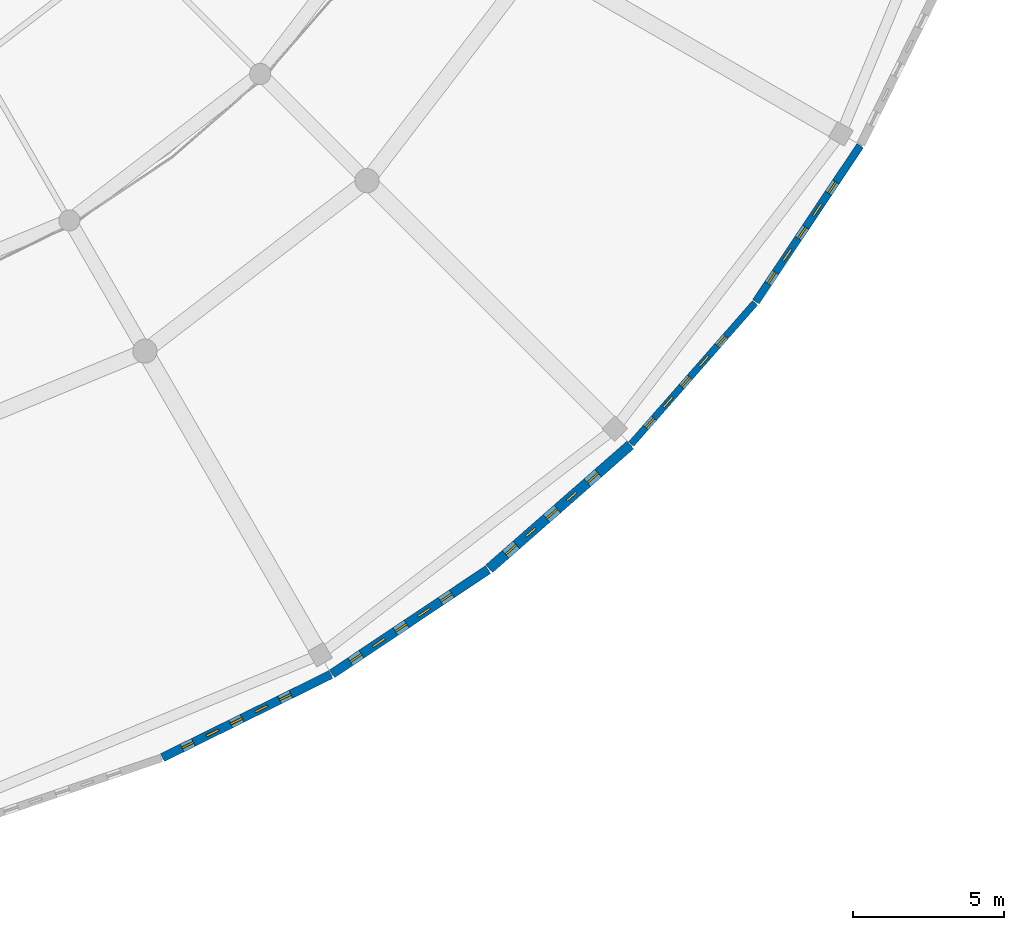
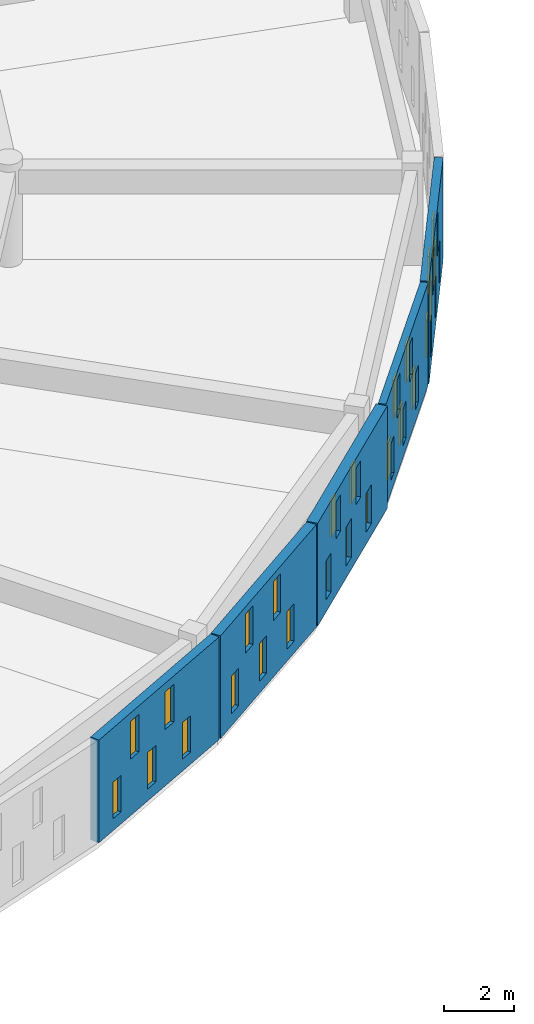
# One storey, part 109 of 155: 25 windows, 5 walls, 25 openings.
"""IFC4 building model written with IfcOpenShell, lengths in metres."""

from ifc_helpers import new_model, si_unit, direction, frame, frame_2d, origin, place, context, subcontext, project, spatial, rectangle, extrude, material, layer, layer_set, type_object, element, fill, save


model = new_model("IFC4")

# Units and contexts
model_context = context("Model", 3, precision=1e-05, world=origin(), true_north=direction((0.0, 1.0)))
body_context = subcontext(model_context, "Body", "Model", "MODEL_VIEW")
ifc_project = project(units=[si_unit("LENGTHUNIT", "METRE"), si_unit("AREAUNIT", "SQUARE_METRE"), si_unit("VOLUMEUNIT", "CUBIC_METRE"), si_unit("PLANEANGLEUNIT", "RADIAN"), si_unit("MASSUNIT", "GRAM", prefix="KILO")], contexts=[model_context])

# Site, building, storey
site_placement = place(None, origin())
site = spatial("IfcSite", under=ifc_project, at=site_placement, CompositionType="ELEMENT")
building_placement = place(site_placement, origin())
building = spatial("IfcBuilding", under=site, at=building_placement, Name="Larkveld Mobility Hub", CompositionType="ELEMENT")
storey_placement = place(building_placement, frame((0.0, 0.0, 8.39990234375)))
storey = spatial("IfcBuildingStorey", under=building, at=storey_placement, Name="L02", CompositionType="ELEMENT", Elevation=8.39990234375)

# Wall, openings, windows
ifc_material_1 = material(Name="Fired clay brick 25 MPa", Category="masonry")
ifc_layer_1 = layer(ifc_material_1, 0.22998046875, Name="Fired clay brick 25 MPa", Category="masonry")
ifc_layer_set_1 = layer_set([ifc_layer_1], Name="Fired clay brick 25 MPa")
wall_type_1 = type_object("IfcWallType", Name="WL-BRK-230", PredefinedType="USERDEFINED", material=ifc_layer_set_1)
wall_1_placement = place(storey_placement, frame((81.85107421875, 14.18310546875, 0.0), z_axis=(0.0, 0.0, 1.0), x_axis=(0.65930569124, 0.751874993266, 0.0)))
wall_1 = element("IfcWall", 1, at=wall_1_placement, inside=storey, type_object=wall_type_1, Name="Drum Woven Open-Bond Brick Chord L02-0133", ObjectType="PERFORATED BRICK SCREEN", PredefinedType="USERDEFINED", context=body_context, shape_type="SweptSolid", body=[
    extrude(rectangle(XDim=6.2109375, YDim=0.22998046875, at=frame_2d((3.10546875, 0.0))), origin(), (0.0, 0.0, 1.0), 3.60009765625),
])
opening_1_placement = place(wall_1_placement, frame((0.719970703125, 0.0, 0.419921875)))
opening_1 = element("IfcOpeningElement", 2, at=opening_1_placement, cuts=wall_1, Name="Opening W01", PredefinedType="OPENING", context=body_context, shape_type="SweptSolid", body=[
    extrude(rectangle(XDim=0.419921875, YDim=1.280029296875, at=frame_2d((0.2099609375, 0.64013671875))), frame((0.0, 0.125, 0.0), z_axis=(0.0, -1.0, 0.0), x_axis=(1.0, 0.0, 0.0)), (0.0, 0.0, 1.0), 0.25),
])
opening_2_placement = place(wall_1_placement, frame((2.52001953125, 0.0, 0.419921875)))
opening_2 = element("IfcOpeningElement", 3, at=opening_2_placement, cuts=wall_1, Name="Opening W01", PredefinedType="OPENING", context=body_context, shape_type="SweptSolid", body=[
    extrude(rectangle(XDim=0.419921875, YDim=1.280029296875, at=frame_2d((0.2099609375, 0.64013671875))), frame((0.0, 0.125, 0.0), z_axis=(0.0, -1.0, 0.0), x_axis=(1.0, 0.0, 0.0)), (0.0, 0.0, 1.0), 0.25),
])
opening_3_placement = place(wall_1_placement, frame((4.320068359375, 0.0, 0.419921875)))
opening_3 = element("IfcOpeningElement", 4, at=opening_3_placement, cuts=wall_1, Name="Opening W01", PredefinedType="OPENING", context=body_context, shape_type="SweptSolid", body=[
    extrude(rectangle(XDim=0.419921875, YDim=1.280029296875, at=frame_2d((0.2099609375, 0.64013671875))), frame((0.0, 0.125, 0.0), z_axis=(0.0, -1.0, 0.0), x_axis=(1.0, 0.0, 0.0)), (0.0, 0.0, 1.0), 0.25),
])
opening_4_placement = place(wall_1_placement, frame((1.6201171875, 0.0, 1.97998046875)))
opening_4 = element("IfcOpeningElement", 5, at=opening_4_placement, cuts=wall_1, Name="Opening W02", PredefinedType="OPENING", context=body_context, shape_type="SweptSolid", body=[
    extrude(rectangle(XDim=0.449951171875, YDim=1.320068359375, at=frame_2d((0.22509765625, 0.66015625))), frame((0.0, 0.125, 0.0), z_axis=(0.0, -1.0, 0.0), x_axis=(1.0, 0.0, 0.0)), (0.0, 0.0, 1.0), 0.25),
])
opening_5_placement = place(wall_1_placement, frame((3.419921875, 0.0, 1.97998046875)))
opening_5 = element("IfcOpeningElement", 6, at=opening_5_placement, cuts=wall_1, Name="Opening W02", PredefinedType="OPENING", context=body_context, shape_type="SweptSolid", body=[
    extrude(rectangle(XDim=0.449951171875, YDim=1.320068359375, at=frame_2d((0.22509765625, 0.66015625))), frame((0.0, 0.125, 0.0), z_axis=(0.0, -1.0, 0.0), x_axis=(1.0, 0.0, 0.0)), (0.0, 0.0, 1.0), 0.25),
])
ifc_material_2 = material(Name="Extruded aluminium ventilation grille", Category="aluminium")
window_type_1 = type_object("IfcWindowType", Name="WN-VENT-01", PartitioningType="SINGLE_PANEL", PredefinedType="WINDOW", material=ifc_material_2)
window_1_placement = place(opening_1_placement, origin())
window_1 = element("IfcWindow", 7, at=window_1_placement, inside=storey, type_object=window_type_1, Name="Window W01 (0651)", OverallHeight=1.280029296875, OverallWidth=0.419921875, PartitioningType="SINGLE_PANEL", PredefinedType="WINDOW", context=body_context, shape_type="SweptSolid", body=[
    extrude(rectangle(XDim=0.419921875, YDim=1.280029296875, at=frame_2d((0.2099609375, 0.64013671875))), frame((0.0, 0.030029296875, 0.0), z_axis=(0.0, -1.0, 0.0), x_axis=(1.0, 0.0, 0.0)), (0.0, 0.0, 1.0), 0.06005859375),
])
fill(opening_1, window_1)
window_2_placement = place(opening_2_placement, origin())
window_2 = element("IfcWindow", 8, at=window_2_placement, inside=storey, type_object=window_type_1, Name="Window W01 (0652)", OverallHeight=1.280029296875, OverallWidth=0.419921875, PartitioningType="SINGLE_PANEL", PredefinedType="WINDOW", context=body_context, shape_type="SweptSolid", body=[
    extrude(rectangle(XDim=0.419921875, YDim=1.280029296875, at=frame_2d((0.2099609375, 0.64013671875))), frame((0.0, 0.030029296875, 0.0), z_axis=(0.0, -1.0, 0.0), x_axis=(1.0, 0.0, 0.0)), (0.0, 0.0, 1.0), 0.06005859375),
])
fill(opening_2, window_2)
window_3_placement = place(opening_3_placement, origin())
window_3 = element("IfcWindow", 9, at=window_3_placement, inside=storey, type_object=window_type_1, Name="Window W01 (0653)", OverallHeight=1.280029296875, OverallWidth=0.419921875, PartitioningType="SINGLE_PANEL", PredefinedType="WINDOW", context=body_context, shape_type="SweptSolid", body=[
    extrude(rectangle(XDim=0.419921875, YDim=1.280029296875, at=frame_2d((0.2099609375, 0.64013671875))), frame((0.0, 0.030029296875, 0.0), z_axis=(0.0, -1.0, 0.0), x_axis=(1.0, 0.0, 0.0)), (0.0, 0.0, 1.0), 0.06005859375),
])
fill(opening_3, window_3)
window_type_2 = type_object("IfcWindowType", Name="WN-VENT-02", PartitioningType="SINGLE_PANEL", PredefinedType="WINDOW", material=ifc_material_2)
window_4_placement = place(opening_4_placement, origin())
window_4 = element("IfcWindow", 10, at=window_4_placement, inside=storey, type_object=window_type_2, Name="Window W02 (0654)", OverallHeight=1.320068359375, OverallWidth=0.449951171875, PartitioningType="SINGLE_PANEL", PredefinedType="WINDOW", context=body_context, shape_type="SweptSolid", body=[
    extrude(rectangle(XDim=0.449951171875, YDim=1.320068359375, at=frame_2d((0.22509765625, 0.66015625))), frame((0.0, 0.030029296875, 0.0), z_axis=(0.0, -1.0, 0.0), x_axis=(1.0, 0.0, 0.0)), (0.0, 0.0, 1.0), 0.06005859375),
])
fill(opening_4, window_4)
window_5_placement = place(opening_5_placement, origin())
window_5 = element("IfcWindow", 11, at=window_5_placement, inside=storey, type_object=window_type_2, Name="Window W02 (0655)", OverallHeight=1.320068359375, OverallWidth=0.449951171875, PartitioningType="SINGLE_PANEL", PredefinedType="WINDOW", context=body_context, shape_type="SweptSolid", body=[
    extrude(rectangle(XDim=0.449951171875, YDim=1.320068359375, at=frame_2d((0.22509765625, 0.66015625))), frame((0.0, 0.030029296875, 0.0), z_axis=(0.0, -1.0, 0.0), x_axis=(1.0, 0.0, 0.0)), (0.0, 0.0, 1.0), 0.06005859375),
])
fill(opening_5, window_5)

ifc_layer_2 = layer(ifc_material_1, 0.260009765625, Name="Fired clay brick 25 MPa", Category="masonry")
ifc_layer_set_2 = layer_set([ifc_layer_2], Name="Fired clay brick 25 MPa")
wall_type_2 = type_object("IfcWallType", Name="WL-BRK-260", PredefinedType="USERDEFINED", material=ifc_layer_set_2)
wall_2_placement = place(storey_placement, frame((85.97509765625, 18.89111328125, 0.0), z_axis=(0.0, 0.0, 1.0), x_axis=(0.555634193664, 0.831426871608, 0.0)))
wall_2 = element("IfcWall", 12, at=wall_2_placement, inside=storey, type_object=wall_type_2, Name="Drum Woven Open-Bond Brick Chord L02-0134", ObjectType="PERFORATED BRICK SCREEN", PredefinedType="USERDEFINED", context=body_context, shape_type="SweptSolid", body=[
    extrude(rectangle(XDim=6.210693359375, YDim=0.260009765625, at=frame_2d((3.10546875, 0.0))), origin(), (0.0, 0.0, 1.0), 3.60009765625),
])
opening_6_placement = place(wall_2_placement, frame((0.719970703125, 0.0, 0.419921875)))
opening_6 = element("IfcOpeningElement", 13, at=opening_6_placement, cuts=wall_2, Name="Opening W02", PredefinedType="OPENING", context=body_context, shape_type="SweptSolid", body=[
    extrude(rectangle(XDim=0.449951171875, YDim=1.320068359375, at=frame_2d((0.22509765625, 0.66015625))), frame((0.0, 0.14013671875, 0.0), z_axis=(0.0, -1.0, 0.0), x_axis=(1.0, 0.0, 0.0)), (0.0, 0.0, 1.0), 0.280029296875),
])
opening_7_placement = place(wall_2_placement, frame((2.52001953125, 0.0, 0.419921875)))
opening_7 = element("IfcOpeningElement", 14, at=opening_7_placement, cuts=wall_2, Name="Opening W02", PredefinedType="OPENING", context=body_context, shape_type="SweptSolid", body=[
    extrude(rectangle(XDim=0.449951171875, YDim=1.320068359375, at=frame_2d((0.22509765625, 0.66015625))), frame((0.0, 0.14013671875, 0.0), z_axis=(0.0, -1.0, 0.0), x_axis=(1.0, 0.0, 0.0)), (0.0, 0.0, 1.0), 0.280029296875),
])
opening_8_placement = place(wall_2_placement, frame((4.320068359375, 0.0, 0.419921875)))
opening_8 = element("IfcOpeningElement", 15, at=opening_8_placement, cuts=wall_2, Name="Opening W02", PredefinedType="OPENING", context=body_context, shape_type="SweptSolid", body=[
    extrude(rectangle(XDim=0.449951171875, YDim=1.320068359375, at=frame_2d((0.22509765625, 0.66015625))), frame((0.0, 0.14013671875, 0.0), z_axis=(0.0, -1.0, 0.0), x_axis=(1.0, 0.0, 0.0)), (0.0, 0.0, 1.0), 0.280029296875),
])
opening_9_placement = place(wall_2_placement, frame((1.6201171875, 0.0, 1.97998046875)))
opening_9 = element("IfcOpeningElement", 16, at=opening_9_placement, cuts=wall_2, Name="Opening W03", PredefinedType="OPENING", context=body_context, shape_type="SweptSolid", body=[
    extrude(rectangle(XDim=0.47998046875, YDim=1.360107421875, at=frame_2d((0.239990234375, 0.68017578125))), frame((0.0, 0.14013671875, 0.0), z_axis=(0.0, -1.0, 0.0), x_axis=(1.0, 0.0, 0.0)), (0.0, 0.0, 1.0), 0.280029296875),
])
opening_10_placement = place(wall_2_placement, frame((3.419921875, 0.0, 1.97998046875)))
opening_10 = element("IfcOpeningElement", 17, at=opening_10_placement, cuts=wall_2, Name="Opening W03", PredefinedType="OPENING", context=body_context, shape_type="SweptSolid", body=[
    extrude(rectangle(XDim=0.47998046875, YDim=1.360107421875, at=frame_2d((0.239990234375, 0.68017578125))), frame((0.0, 0.14013671875, 0.0), z_axis=(0.0, -1.0, 0.0), x_axis=(1.0, 0.0, 0.0)), (0.0, 0.0, 1.0), 0.280029296875),
])
window_6_placement = place(opening_6_placement, origin())
window_6 = element("IfcWindow", 18, at=window_6_placement, inside=storey, type_object=window_type_2, Name="Window W02 (0656)", OverallHeight=1.320068359375, OverallWidth=0.449951171875, PartitioningType="SINGLE_PANEL", PredefinedType="WINDOW", context=body_context, shape_type="SweptSolid", body=[
    extrude(rectangle(XDim=0.449951171875, YDim=1.320068359375, at=frame_2d((0.22509765625, 0.66015625))), frame((0.0, 0.030029296875, 0.0), z_axis=(0.0, -1.0, 0.0), x_axis=(1.0, 0.0, 0.0)), (0.0, 0.0, 1.0), 0.06005859375),
])
fill(opening_6, window_6)
window_7_placement = place(opening_7_placement, origin())
window_7 = element("IfcWindow", 19, at=window_7_placement, inside=storey, type_object=window_type_2, Name="Window W02 (0657)", OverallHeight=1.320068359375, OverallWidth=0.449951171875, PartitioningType="SINGLE_PANEL", PredefinedType="WINDOW", context=body_context, shape_type="SweptSolid", body=[
    extrude(rectangle(XDim=0.449951171875, YDim=1.320068359375, at=frame_2d((0.22509765625, 0.66015625))), frame((0.0, 0.030029296875, 0.0), z_axis=(0.0, -1.0, 0.0), x_axis=(1.0, 0.0, 0.0)), (0.0, 0.0, 1.0), 0.06005859375),
])
fill(opening_7, window_7)
window_8_placement = place(opening_8_placement, origin())
window_8 = element("IfcWindow", 20, at=window_8_placement, inside=storey, type_object=window_type_2, Name="Window W02 (0658)", OverallHeight=1.320068359375, OverallWidth=0.449951171875, PartitioningType="SINGLE_PANEL", PredefinedType="WINDOW", context=body_context, shape_type="SweptSolid", body=[
    extrude(rectangle(XDim=0.449951171875, YDim=1.320068359375, at=frame_2d((0.22509765625, 0.66015625))), frame((0.0, 0.030029296875, 0.0), z_axis=(0.0, -1.0, 0.0), x_axis=(1.0, 0.0, 0.0)), (0.0, 0.0, 1.0), 0.06005859375),
])
fill(opening_8, window_8)
window_type_3 = type_object("IfcWindowType", Name="WN-VENT-03", PartitioningType="SINGLE_PANEL", PredefinedType="WINDOW", material=ifc_material_2)
window_9_placement = place(opening_9_placement, origin())
window_9 = element("IfcWindow", 21, at=window_9_placement, inside=storey, type_object=window_type_3, Name="Window W03 (0659)", OverallHeight=1.360107421875, OverallWidth=0.47998046875, PartitioningType="SINGLE_PANEL", PredefinedType="WINDOW", context=body_context, shape_type="SweptSolid", body=[
    extrude(rectangle(XDim=0.47998046875, YDim=1.360107421875, at=frame_2d((0.239990234375, 0.68017578125))), frame((0.0, 0.030029296875, 0.0), z_axis=(0.0, -1.0, 0.0), x_axis=(1.0, 0.0, 0.0)), (0.0, 0.0, 1.0), 0.06005859375),
])
fill(opening_9, window_9)
window_10_placement = place(opening_10_placement, origin())
window_10 = element("IfcWindow", 22, at=window_10_placement, inside=storey, type_object=window_type_3, Name="Window W03 (0660)", OverallHeight=1.360107421875, OverallWidth=0.47998046875, PartitioningType="SINGLE_PANEL", PredefinedType="WINDOW", context=body_context, shape_type="SweptSolid", body=[
    extrude(rectangle(XDim=0.47998046875, YDim=1.360107421875, at=frame_2d((0.239990234375, 0.68017578125))), frame((0.0, 0.030029296875, 0.0), z_axis=(0.0, -1.0, 0.0), x_axis=(1.0, 0.0, 0.0)), (0.0, 0.0, 1.0), 0.06005859375),
])
fill(opening_10, window_10)

ifc_layer_3 = layer(ifc_material_1, 0.2900390625, Name="Fired clay brick 25 MPa", Category="masonry")
ifc_layer_set_3 = layer_set([ifc_layer_3], Name="Fired clay brick 25 MPa")
wall_type_3 = type_object("IfcWallType", Name="WL-BRK-290", PredefinedType="USERDEFINED", material=ifc_layer_set_3)
wall_3_placement = place(storey_placement, frame((66.3330078125, 3.802978515625, 0.0), z_axis=(0.0, 0.0, 1.0), x_axis=(0.896858908126, 0.442316740488, 0.0)))
wall_3 = element("IfcWall", 23, at=wall_3_placement, inside=storey, type_object=wall_type_3, Name="Drum Woven Open-Bond Brick Chord L02-0130", ObjectType="PERFORATED BRICK SCREEN", PredefinedType="USERDEFINED", context=body_context, shape_type="SweptSolid", body=[
    extrude(rectangle(XDim=6.210693359375, YDim=0.2900390625, at=frame_2d((3.10546875, 0.0))), origin(), (0.0, 0.0, 1.0), 3.60009765625),
])
opening_11_placement = place(wall_3_placement, frame((0.719970703125, 0.0, 0.419921875)))
opening_11 = element("IfcOpeningElement", 24, at=opening_11_placement, cuts=wall_3, Name="Opening W01", PredefinedType="OPENING", context=body_context, shape_type="SweptSolid", body=[
    extrude(rectangle(XDim=0.419921875, YDim=1.280029296875, at=frame_2d((0.2099609375, 0.64013671875))), frame((0.0, 0.155029296875, 0.0), z_axis=(0.0, -1.0, 0.0), x_axis=(1.0, 0.0, 0.0)), (0.0, 0.0, 1.0), 0.31005859375),
])
opening_12_placement = place(wall_3_placement, frame((2.52001953125, 0.0, 0.419921875)))
opening_12 = element("IfcOpeningElement", 25, at=opening_12_placement, cuts=wall_3, Name="Opening W01", PredefinedType="OPENING", context=body_context, shape_type="SweptSolid", body=[
    extrude(rectangle(XDim=0.419921875, YDim=1.280029296875, at=frame_2d((0.2099609375, 0.64013671875))), frame((0.0, 0.155029296875, 0.0), z_axis=(0.0, -1.0, 0.0), x_axis=(1.0, 0.0, 0.0)), (0.0, 0.0, 1.0), 0.31005859375),
])
opening_13_placement = place(wall_3_placement, frame((4.320068359375, 0.0, 0.419921875)))
opening_13 = element("IfcOpeningElement", 26, at=opening_13_placement, cuts=wall_3, Name="Opening W01", PredefinedType="OPENING", context=body_context, shape_type="SweptSolid", body=[
    extrude(rectangle(XDim=0.419921875, YDim=1.280029296875, at=frame_2d((0.2099609375, 0.64013671875))), frame((0.0, 0.155029296875, 0.0), z_axis=(0.0, -1.0, 0.0), x_axis=(1.0, 0.0, 0.0)), (0.0, 0.0, 1.0), 0.31005859375),
])
opening_14_placement = place(wall_3_placement, frame((1.6201171875, 0.0, 1.97998046875)))
opening_14 = element("IfcOpeningElement", 27, at=opening_14_placement, cuts=wall_3, Name="Opening W02", PredefinedType="OPENING", context=body_context, shape_type="SweptSolid", body=[
    extrude(rectangle(XDim=0.449951171875, YDim=1.320068359375, at=frame_2d((0.22509765625, 0.66015625))), frame((0.0, 0.155029296875, 0.0), z_axis=(0.0, -1.0, 0.0), x_axis=(1.0, 0.0, 0.0)), (0.0, 0.0, 1.0), 0.31005859375),
])
opening_15_placement = place(wall_3_placement, frame((3.419921875, 0.0, 1.97998046875)))
opening_15 = element("IfcOpeningElement", 28, at=opening_15_placement, cuts=wall_3, Name="Opening W02", PredefinedType="OPENING", context=body_context, shape_type="SweptSolid", body=[
    extrude(rectangle(XDim=0.449951171875, YDim=1.320068359375, at=frame_2d((0.22509765625, 0.66015625))), frame((0.0, 0.155029296875, 0.0), z_axis=(0.0, -1.0, 0.0), x_axis=(1.0, 0.0, 0.0)), (0.0, 0.0, 1.0), 0.31005859375),
])
window_11_placement = place(opening_11_placement, origin())
window_11 = element("IfcWindow", 29, at=window_11_placement, inside=storey, type_object=window_type_1, Name="Window W01 (0636)", OverallHeight=1.280029296875, OverallWidth=0.419921875, PartitioningType="SINGLE_PANEL", PredefinedType="WINDOW", context=body_context, shape_type="SweptSolid", body=[
    extrude(rectangle(XDim=0.419921875, YDim=1.280029296875, at=frame_2d((0.2099609375, 0.64013671875))), frame((0.0, 0.030029296875, 0.0), z_axis=(0.0, -1.0, 0.0), x_axis=(1.0, 0.0, 0.0)), (0.0, 0.0, 1.0), 0.06005859375),
])
fill(opening_11, window_11)
window_12_placement = place(opening_12_placement, origin())
window_12 = element("IfcWindow", 30, at=window_12_placement, inside=storey, type_object=window_type_1, Name="Window W01 (0637)", OverallHeight=1.280029296875, OverallWidth=0.419921875, PartitioningType="SINGLE_PANEL", PredefinedType="WINDOW", context=body_context, shape_type="SweptSolid", body=[
    extrude(rectangle(XDim=0.419921875, YDim=1.280029296875, at=frame_2d((0.2099609375, 0.64013671875))), frame((0.0, 0.030029296875, 0.0), z_axis=(0.0, -1.0, 0.0), x_axis=(1.0, 0.0, 0.0)), (0.0, 0.0, 1.0), 0.06005859375),
])
fill(opening_12, window_12)
window_13_placement = place(opening_13_placement, origin())
window_13 = element("IfcWindow", 31, at=window_13_placement, inside=storey, type_object=window_type_1, Name="Window W01 (0638)", OverallHeight=1.280029296875, OverallWidth=0.419921875, PartitioningType="SINGLE_PANEL", PredefinedType="WINDOW", context=body_context, shape_type="SweptSolid", body=[
    extrude(rectangle(XDim=0.419921875, YDim=1.280029296875, at=frame_2d((0.2099609375, 0.64013671875))), frame((0.0, 0.030029296875, 0.0), z_axis=(0.0, -1.0, 0.0), x_axis=(1.0, 0.0, 0.0)), (0.0, 0.0, 1.0), 0.06005859375),
])
fill(opening_13, window_13)
window_14_placement = place(opening_14_placement, origin())
window_14 = element("IfcWindow", 32, at=window_14_placement, inside=storey, type_object=window_type_2, Name="Window W02 (0639)", OverallHeight=1.320068359375, OverallWidth=0.449951171875, PartitioningType="SINGLE_PANEL", PredefinedType="WINDOW", context=body_context, shape_type="SweptSolid", body=[
    extrude(rectangle(XDim=0.449951171875, YDim=1.320068359375, at=frame_2d((0.22509765625, 0.66015625))), frame((0.0, 0.030029296875, 0.0), z_axis=(0.0, -1.0, 0.0), x_axis=(1.0, 0.0, 0.0)), (0.0, 0.0, 1.0), 0.06005859375),
])
fill(opening_14, window_14)
window_15_placement = place(opening_15_placement, origin())
window_15 = element("IfcWindow", 33, at=window_15_placement, inside=storey, type_object=window_type_2, Name="Window W02 (0640)", OverallHeight=1.320068359375, OverallWidth=0.449951171875, PartitioningType="SINGLE_PANEL", PredefinedType="WINDOW", context=body_context, shape_type="SweptSolid", body=[
    extrude(rectangle(XDim=0.449951171875, YDim=1.320068359375, at=frame_2d((0.22509765625, 0.66015625))), frame((0.0, 0.030029296875, 0.0), z_axis=(0.0, -1.0, 0.0), x_axis=(1.0, 0.0, 0.0)), (0.0, 0.0, 1.0), 0.06005859375),
])
fill(opening_15, window_15)

ifc_layer_4 = layer(ifc_material_1, 0.31005859375, Name="Fired clay brick 25 MPa", Category="masonry")
ifc_layer_set_4 = layer_set([ifc_layer_4], Name="Fired clay brick 25 MPa")
wall_type_4 = type_object("IfcWallType", Name="WL-BRK-310", PredefinedType="USERDEFINED", material=ifc_layer_set_4)
wall_4_placement = place(storey_placement, frame((71.945068359375, 6.573974609375, 0.0), z_axis=(0.0, 0.0, 1.0), x_axis=(0.831426871608, 0.555634193664, 0.0)))
wall_4 = element("IfcWall", 34, at=wall_4_placement, inside=storey, type_object=wall_type_4, Name="Drum Woven Open-Bond Brick Chord L02-0131", ObjectType="PERFORATED BRICK SCREEN", PredefinedType="USERDEFINED", context=body_context, shape_type="SweptSolid", body=[
    extrude(rectangle(XDim=6.210693359375, YDim=0.31005859375, at=frame_2d((3.10546875, 0.0))), origin(), (0.0, 0.0, 1.0), 3.60009765625),
])
opening_16_placement = place(wall_4_placement, frame((0.719970703125, 0.0, 0.419921875)))
opening_16 = element("IfcOpeningElement", 35, at=opening_16_placement, cuts=wall_4, Name="Opening W02", PredefinedType="OPENING", context=body_context, shape_type="SweptSolid", body=[
    extrude(rectangle(XDim=0.449951171875, YDim=1.320068359375, at=frame_2d((0.22509765625, 0.66015625))), frame((0.0, 0.1650390625, 0.0), z_axis=(0.0, -1.0, 0.0), x_axis=(1.0, 0.0, 0.0)), (0.0, 0.0, 1.0), 0.330078125),
])
opening_17_placement = place(wall_4_placement, frame((2.52001953125, 0.0, 0.419921875)))
opening_17 = element("IfcOpeningElement", 36, at=opening_17_placement, cuts=wall_4, Name="Opening W02", PredefinedType="OPENING", context=body_context, shape_type="SweptSolid", body=[
    extrude(rectangle(XDim=0.449951171875, YDim=1.320068359375, at=frame_2d((0.22509765625, 0.66015625))), frame((0.0, 0.1650390625, 0.0), z_axis=(0.0, -1.0, 0.0), x_axis=(1.0, 0.0, 0.0)), (0.0, 0.0, 1.0), 0.330078125),
])
opening_18_placement = place(wall_4_placement, frame((4.320068359375, 0.0, 0.419921875)))
opening_18 = element("IfcOpeningElement", 37, at=opening_18_placement, cuts=wall_4, Name="Opening W02", PredefinedType="OPENING", context=body_context, shape_type="SweptSolid", body=[
    extrude(rectangle(XDim=0.449951171875, YDim=1.320068359375, at=frame_2d((0.22509765625, 0.66015625))), frame((0.0, 0.1650390625, 0.0), z_axis=(0.0, -1.0, 0.0), x_axis=(1.0, 0.0, 0.0)), (0.0, 0.0, 1.0), 0.330078125),
])
opening_19_placement = place(wall_4_placement, frame((1.6201171875, 0.0, 1.97998046875)))
opening_19 = element("IfcOpeningElement", 38, at=opening_19_placement, cuts=wall_4, Name="Opening W03", PredefinedType="OPENING", context=body_context, shape_type="SweptSolid", body=[
    extrude(rectangle(XDim=0.47998046875, YDim=1.360107421875, at=frame_2d((0.239990234375, 0.68017578125))), frame((0.0, 0.1650390625, 0.0), z_axis=(0.0, -1.0, 0.0), x_axis=(1.0, 0.0, 0.0)), (0.0, 0.0, 1.0), 0.330078125),
])
opening_20_placement = place(wall_4_placement, frame((3.419921875, 0.0, 1.97998046875)))
opening_20 = element("IfcOpeningElement", 39, at=opening_20_placement, cuts=wall_4, Name="Opening W03", PredefinedType="OPENING", context=body_context, shape_type="SweptSolid", body=[
    extrude(rectangle(XDim=0.47998046875, YDim=1.360107421875, at=frame_2d((0.239990234375, 0.68017578125))), frame((0.0, 0.1650390625, 0.0), z_axis=(0.0, -1.0, 0.0), x_axis=(1.0, 0.0, 0.0)), (0.0, 0.0, 1.0), 0.330078125),
])
window_16_placement = place(opening_16_placement, origin())
window_16 = element("IfcWindow", 40, at=window_16_placement, inside=storey, type_object=window_type_2, Name="Window W02 (0641)", OverallHeight=1.320068359375, OverallWidth=0.449951171875, PartitioningType="SINGLE_PANEL", PredefinedType="WINDOW", context=body_context, shape_type="SweptSolid", body=[
    extrude(rectangle(XDim=0.449951171875, YDim=1.320068359375, at=frame_2d((0.22509765625, 0.66015625))), frame((0.0, 0.030029296875, 0.0), z_axis=(0.0, -1.0, 0.0), x_axis=(1.0, 0.0, 0.0)), (0.0, 0.0, 1.0), 0.06005859375),
])
fill(opening_16, window_16)
window_17_placement = place(opening_17_placement, origin())
window_17 = element("IfcWindow", 41, at=window_17_placement, inside=storey, type_object=window_type_2, Name="Window W02 (0642)", OverallHeight=1.320068359375, OverallWidth=0.449951171875, PartitioningType="SINGLE_PANEL", PredefinedType="WINDOW", context=body_context, shape_type="SweptSolid", body=[
    extrude(rectangle(XDim=0.449951171875, YDim=1.320068359375, at=frame_2d((0.22509765625, 0.66015625))), frame((0.0, 0.030029296875, 0.0), z_axis=(0.0, -1.0, 0.0), x_axis=(1.0, 0.0, 0.0)), (0.0, 0.0, 1.0), 0.06005859375),
])
fill(opening_17, window_17)
window_18_placement = place(opening_18_placement, origin())
window_18 = element("IfcWindow", 42, at=window_18_placement, inside=storey, type_object=window_type_2, Name="Window W02 (0643)", OverallHeight=1.320068359375, OverallWidth=0.449951171875, PartitioningType="SINGLE_PANEL", PredefinedType="WINDOW", context=body_context, shape_type="SweptSolid", body=[
    extrude(rectangle(XDim=0.449951171875, YDim=1.320068359375, at=frame_2d((0.22509765625, 0.66015625))), frame((0.0, 0.030029296875, 0.0), z_axis=(0.0, -1.0, 0.0), x_axis=(1.0, 0.0, 0.0)), (0.0, 0.0, 1.0), 0.06005859375),
])
fill(opening_18, window_18)
window_19_placement = place(opening_19_placement, origin())
window_19 = element("IfcWindow", 43, at=window_19_placement, inside=storey, type_object=window_type_3, Name="Window W03 (0644)", OverallHeight=1.360107421875, OverallWidth=0.47998046875, PartitioningType="SINGLE_PANEL", PredefinedType="WINDOW", context=body_context, shape_type="SweptSolid", body=[
    extrude(rectangle(XDim=0.47998046875, YDim=1.360107421875, at=frame_2d((0.239990234375, 0.68017578125))), frame((0.0, 0.030029296875, 0.0), z_axis=(0.0, -1.0, 0.0), x_axis=(1.0, 0.0, 0.0)), (0.0, 0.0, 1.0), 0.06005859375),
])
fill(opening_19, window_19)
window_20_placement = place(opening_20_placement, origin())
window_20 = element("IfcWindow", 44, at=window_20_placement, inside=storey, type_object=window_type_3, Name="Window W03 (0645)", OverallHeight=1.360107421875, OverallWidth=0.47998046875, PartitioningType="SINGLE_PANEL", PredefinedType="WINDOW", context=body_context, shape_type="SweptSolid", body=[
    extrude(rectangle(XDim=0.47998046875, YDim=1.360107421875, at=frame_2d((0.239990234375, 0.68017578125))), frame((0.0, 0.030029296875, 0.0), z_axis=(0.0, -1.0, 0.0), x_axis=(1.0, 0.0, 0.0)), (0.0, 0.0, 1.0), 0.06005859375),
])
fill(opening_20, window_20)

ifc_layer_5 = layer(ifc_material_1, 0.340087890625, Name="Fired clay brick 25 MPa", Category="masonry")
ifc_layer_set_5 = layer_set([ifc_layer_5], Name="Fired clay brick 25 MPa")
wall_type_5 = type_object("IfcWallType", Name="WL-BRK-340", PredefinedType="USERDEFINED", material=ifc_layer_set_5)
wall_5_placement = place(storey_placement, frame((77.14697265625, 10.053955078125, 0.0), z_axis=(0.0, 0.0, 1.0), x_axis=(0.751874993266, 0.65930569124, 0.0)))
wall_5 = element("IfcWall", 45, at=wall_5_placement, inside=storey, type_object=wall_type_5, Name="Drum Woven Open-Bond Brick Chord L02-0132", ObjectType="PERFORATED BRICK SCREEN", PredefinedType="USERDEFINED", context=body_context, shape_type="SweptSolid", body=[
    extrude(rectangle(XDim=6.2109375, YDim=0.340087890625, at=frame_2d((3.10546875, 0.0))), origin(), (0.0, 0.0, 1.0), 3.60009765625),
])
opening_21_placement = place(wall_5_placement, frame((0.719970703125, 0.0, 0.419921875)))
opening_21 = element("IfcOpeningElement", 46, at=opening_21_placement, cuts=wall_5, Name="Opening W03", PredefinedType="OPENING", context=body_context, shape_type="SweptSolid", body=[
    extrude(rectangle(XDim=0.47998046875, YDim=1.360107421875, at=frame_2d((0.239990234375, 0.68017578125))), frame((0.0, 0.18017578125, 0.0), z_axis=(0.0, -1.0, 0.0), x_axis=(1.0, 0.0, 0.0)), (0.0, 0.0, 1.0), 0.360107421875),
])
opening_22_placement = place(wall_5_placement, frame((2.52001953125, 0.0, 0.419921875)))
opening_22 = element("IfcOpeningElement", 47, at=opening_22_placement, cuts=wall_5, Name="Opening W03", PredefinedType="OPENING", context=body_context, shape_type="SweptSolid", body=[
    extrude(rectangle(XDim=0.47998046875, YDim=1.360107421875, at=frame_2d((0.239990234375, 0.68017578125))), frame((0.0, 0.18017578125, 0.0), z_axis=(0.0, -1.0, 0.0), x_axis=(1.0, 0.0, 0.0)), (0.0, 0.0, 1.0), 0.360107421875),
])
opening_23_placement = place(wall_5_placement, frame((4.320068359375, 0.0, 0.419921875)))
opening_23 = element("IfcOpeningElement", 48, at=opening_23_placement, cuts=wall_5, Name="Opening W03", PredefinedType="OPENING", context=body_context, shape_type="SweptSolid", body=[
    extrude(rectangle(XDim=0.47998046875, YDim=1.360107421875, at=frame_2d((0.239990234375, 0.68017578125))), frame((0.0, 0.18017578125, 0.0), z_axis=(0.0, -1.0, 0.0), x_axis=(1.0, 0.0, 0.0)), (0.0, 0.0, 1.0), 0.360107421875),
])
opening_24_placement = place(wall_5_placement, frame((1.6201171875, 0.0, 1.97998046875)))
opening_24 = element("IfcOpeningElement", 49, at=opening_24_placement, cuts=wall_5, Name="Opening W01", PredefinedType="OPENING", context=body_context, shape_type="SweptSolid", body=[
    extrude(rectangle(XDim=0.419921875, YDim=1.280029296875, at=frame_2d((0.2099609375, 0.64013671875))), frame((0.0, 0.18017578125, 0.0), z_axis=(0.0, -1.0, 0.0), x_axis=(1.0, 0.0, 0.0)), (0.0, 0.0, 1.0), 0.360107421875),
])
opening_25_placement = place(wall_5_placement, frame((3.419921875, 0.0, 1.97998046875)))
opening_25 = element("IfcOpeningElement", 50, at=opening_25_placement, cuts=wall_5, Name="Opening W01", PredefinedType="OPENING", context=body_context, shape_type="SweptSolid", body=[
    extrude(rectangle(XDim=0.419921875, YDim=1.280029296875, at=frame_2d((0.2099609375, 0.64013671875))), frame((0.0, 0.18017578125, 0.0), z_axis=(0.0, -1.0, 0.0), x_axis=(1.0, 0.0, 0.0)), (0.0, 0.0, 1.0), 0.360107421875),
])
window_21_placement = place(opening_24_placement, origin())
window_21 = element("IfcWindow", 51, at=window_21_placement, inside=storey, type_object=window_type_1, Name="Window W01 (0649)", OverallHeight=1.280029296875, OverallWidth=0.419921875, PartitioningType="SINGLE_PANEL", PredefinedType="WINDOW", context=body_context, shape_type="SweptSolid", body=[
    extrude(rectangle(XDim=0.419921875, YDim=1.280029296875, at=frame_2d((0.2099609375, 0.64013671875))), frame((0.0, 0.030029296875, 0.0), z_axis=(0.0, -1.0, 0.0), x_axis=(1.0, 0.0, 0.0)), (0.0, 0.0, 1.0), 0.06005859375),
])
fill(opening_24, window_21)
window_22_placement = place(opening_25_placement, origin())
window_22 = element("IfcWindow", 52, at=window_22_placement, inside=storey, type_object=window_type_1, Name="Window W01 (0650)", OverallHeight=1.280029296875, OverallWidth=0.419921875, PartitioningType="SINGLE_PANEL", PredefinedType="WINDOW", context=body_context, shape_type="SweptSolid", body=[
    extrude(rectangle(XDim=0.419921875, YDim=1.280029296875, at=frame_2d((0.2099609375, 0.64013671875))), frame((0.0, 0.030029296875, 0.0), z_axis=(0.0, -1.0, 0.0), x_axis=(1.0, 0.0, 0.0)), (0.0, 0.0, 1.0), 0.06005859375),
])
fill(opening_25, window_22)
window_23_placement = place(opening_21_placement, origin())
window_23 = element("IfcWindow", 53, at=window_23_placement, inside=storey, type_object=window_type_3, Name="Window W03 (0646)", OverallHeight=1.360107421875, OverallWidth=0.47998046875, PartitioningType="SINGLE_PANEL", PredefinedType="WINDOW", context=body_context, shape_type="SweptSolid", body=[
    extrude(rectangle(XDim=0.47998046875, YDim=1.360107421875, at=frame_2d((0.239990234375, 0.68017578125))), frame((0.0, 0.030029296875, 0.0), z_axis=(0.0, -1.0, 0.0), x_axis=(1.0, 0.0, 0.0)), (0.0, 0.0, 1.0), 0.06005859375),
])
fill(opening_21, window_23)
window_24_placement = place(opening_22_placement, origin())
window_24 = element("IfcWindow", 54, at=window_24_placement, inside=storey, type_object=window_type_3, Name="Window W03 (0647)", OverallHeight=1.360107421875, OverallWidth=0.47998046875, PartitioningType="SINGLE_PANEL", PredefinedType="WINDOW", context=body_context, shape_type="SweptSolid", body=[
    extrude(rectangle(XDim=0.47998046875, YDim=1.360107421875, at=frame_2d((0.239990234375, 0.68017578125))), frame((0.0, 0.030029296875, 0.0), z_axis=(0.0, -1.0, 0.0), x_axis=(1.0, 0.0, 0.0)), (0.0, 0.0, 1.0), 0.06005859375),
])
fill(opening_22, window_24)
window_25_placement = place(opening_23_placement, origin())
window_25 = element("IfcWindow", 55, at=window_25_placement, inside=storey, type_object=window_type_3, Name="Window W03 (0648)", OverallHeight=1.360107421875, OverallWidth=0.47998046875, PartitioningType="SINGLE_PANEL", PredefinedType="WINDOW", context=body_context, shape_type="SweptSolid", body=[
    extrude(rectangle(XDim=0.47998046875, YDim=1.360107421875, at=frame_2d((0.239990234375, 0.68017578125))), frame((0.0, 0.030029296875, 0.0), z_axis=(0.0, -1.0, 0.0), x_axis=(1.0, 0.0, 0.0)), (0.0, 0.0, 1.0), 0.06005859375),
])
fill(opening_23, window_25)

save(model, "model.ifc")
